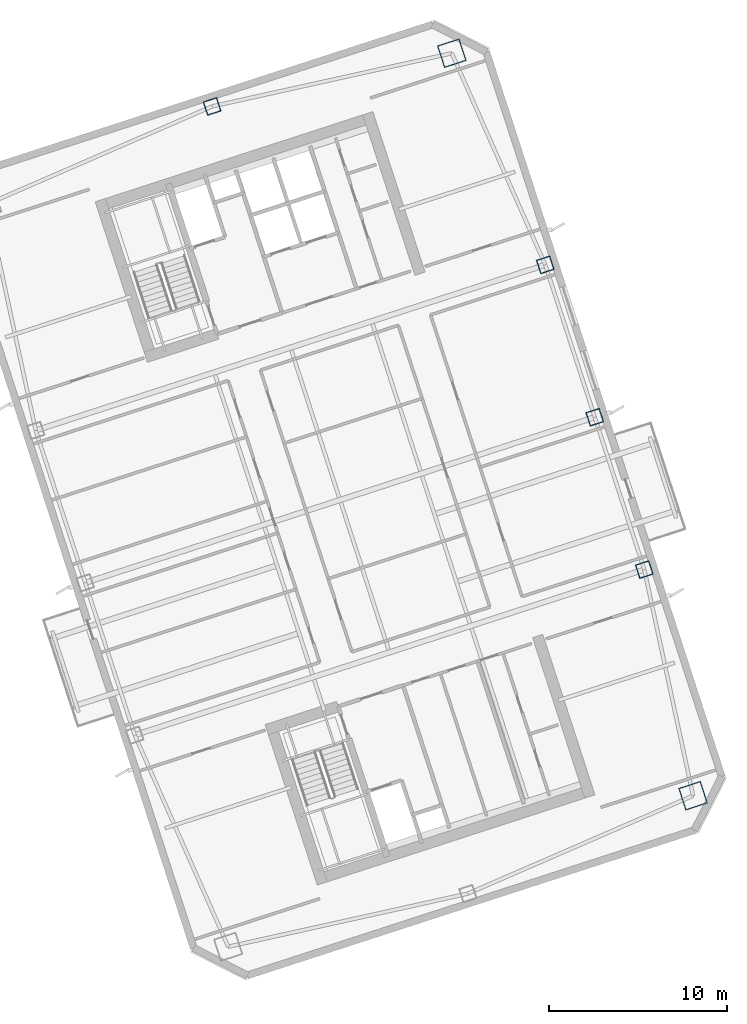
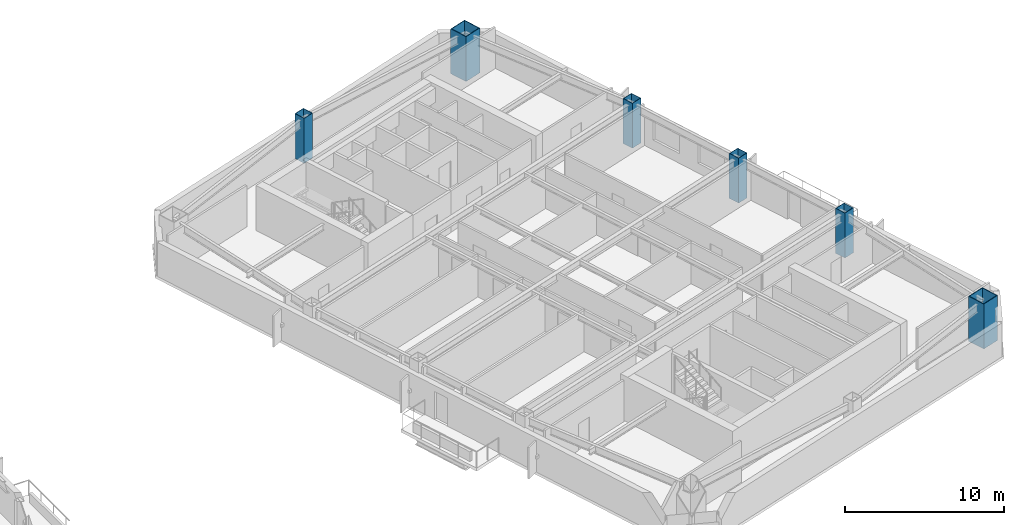
# One storey, part 2 of 18: 6 columns.
"""IFC4 building model written with IfcOpenShell, lengths in metres."""

from ifc_helpers import new_model, si_unit, direction, frame, origin, origin_2d, place, context, subcontext, project, spatial, hollow_rectangle, extrude, material, material_profile, profile_set, type_object, element, save


model = new_model("IFC4")

# Units and contexts
model_context = context("Model", 3, precision=1e-05, world=origin(), true_north=direction((0.0, 1.0)))
body_context = subcontext(model_context, "Body", "Model", "MODEL_VIEW")
ifc_project = project(units=[si_unit("LENGTHUNIT", "METRE"), si_unit("AREAUNIT", "SQUARE_METRE"), si_unit("VOLUMEUNIT", "CUBIC_METRE"), si_unit("PLANEANGLEUNIT", "RADIAN"), si_unit("MASSUNIT", "GRAM", prefix="KILO")], contexts=[model_context])

# Site, building, storey
site_placement = place(None, origin())
site = spatial("IfcSite", under=ifc_project, at=site_placement, CompositionType="ELEMENT")
building_placement = place(site_placement, origin())
building = spatial("IfcBuilding", under=site, at=building_placement, Name="Qiaolan Cultural Towers", CompositionType="ELEMENT")
storey_placement = place(building_placement, frame((0.0, 0.0, 173.64990234375)))
storey = spatial("IfcBuildingStorey", under=building, at=storey_placement, Name="L46", CompositionType="ELEMENT", Elevation=173.64990234375)

# Columns
ifc_material_1 = material(Name="Steel Q390GJB", Category="steel")
ifc_material_profile_1 = material_profile(ifc_material_1, hollow_rectangle(XDim=1.300048828125, YDim=1.300048828125, WallThickness=0.044921875, at=origin_2d()), Name="BOX1300x1300x45")
ifc_profile_set_1 = profile_set([ifc_material_profile_1], Name="Steel Q390GJB")
column_type_1 = type_object("IfcColumnType", Name="COL-BOX1300x1300x45", PredefinedType="COLUMN", material=ifc_profile_set_1)
for number, where, z_axis, x_axis, name in (
    (1, (109.834716796875, 17.38623046875, 0.0), (0.0, 0.0, 1.0), (0.951056516295, 0.309016994375, 0.0), "L46 T2 Perimeter Column MC-SE"),
    (2, (96.28125, 59.099365234375, 0.0), (0.0, 0.0, 1.0), (0.951056516295, 0.309016994375, 0.0), "L46 T2 Perimeter Column MC-NE"),
):
    element("IfcColumn", number, at=place(storey_placement, frame(where, z_axis=z_axis, x_axis=x_axis)), inside=storey, type_object=column_type_1, Name=name, PredefinedType="COLUMN", context=body_context, shape_type="SweptSolid", body=[
        extrude(hollow_rectangle(XDim=1.300048828125, YDim=1.300048828125, WallThickness=0.044921875, at=origin_2d()), origin(), (0.0, 0.0, 1.0), 3.451171875),
    ])
ifc_material_2 = material(Name="Steel Q355B", Category="steel")
ifc_material_profile_2 = material_profile(ifc_material_2, hollow_rectangle(XDim=0.800048828125, YDim=0.800048828125, WallThickness=0.028076171875, at=origin_2d()), Name="BOX800x800x28")
ifc_profile_set_2 = profile_set([ifc_material_profile_2], Name="Steel Q355B")
column_type_2 = type_object("IfcColumnType", Name="COL-BOX800x800x28", PredefinedType="COLUMN", material=ifc_profile_set_2)
for number, where, z_axis, x_axis, name in (
    (3, (107.094482421875, 30.09130859375, 0.0), (0.0, 0.0, 1.0), (0.951056516295, 0.309016994375, 0.0), "L46 T2 Perimeter Column PC-E1"),
    (4, (104.3134765625, 38.650634765625, 0.0), (0.0, 0.0, 1.0), (0.951056516295, 0.309016994375, 0.0), "L46 T2 Perimeter Column PC-E2"),
    (5, (101.5322265625, 47.210205078125, 0.0), (0.0, 0.0, 1.0), (0.951056516295, 0.309016994375, 0.0), "L46 T2 Perimeter Column PC-E3"),
    (6, (82.8154296875, 56.112060546875, 0.0), (0.0, 0.0, 1.0), (0.951056516295, 0.309016994375, 0.0), "L46 T2 Perimeter Column PC-N0"),
):
    element("IfcColumn", number, at=place(storey_placement, frame(where, z_axis=z_axis, x_axis=x_axis)), inside=storey, type_object=column_type_2, Name=name, PredefinedType="COLUMN", context=body_context, shape_type="SweptSolid", body=[
        extrude(hollow_rectangle(XDim=0.800048828125, YDim=0.800048828125, WallThickness=0.028076171875, at=origin_2d()), origin(), (0.0, 0.0, 1.0), 3.451171875),
    ])

save(model, "model.ifc")
